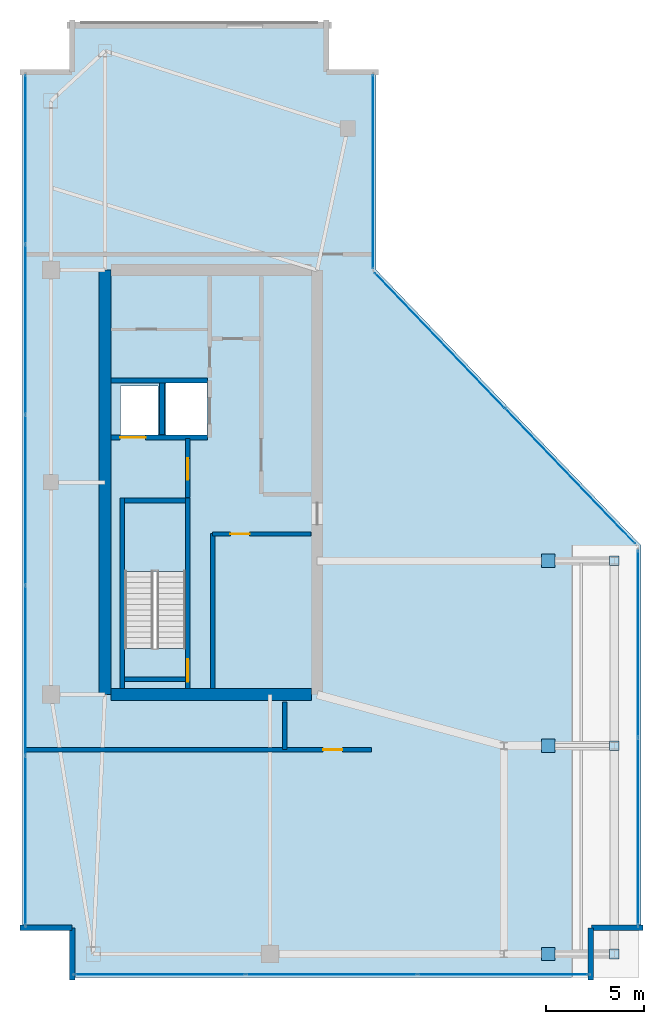
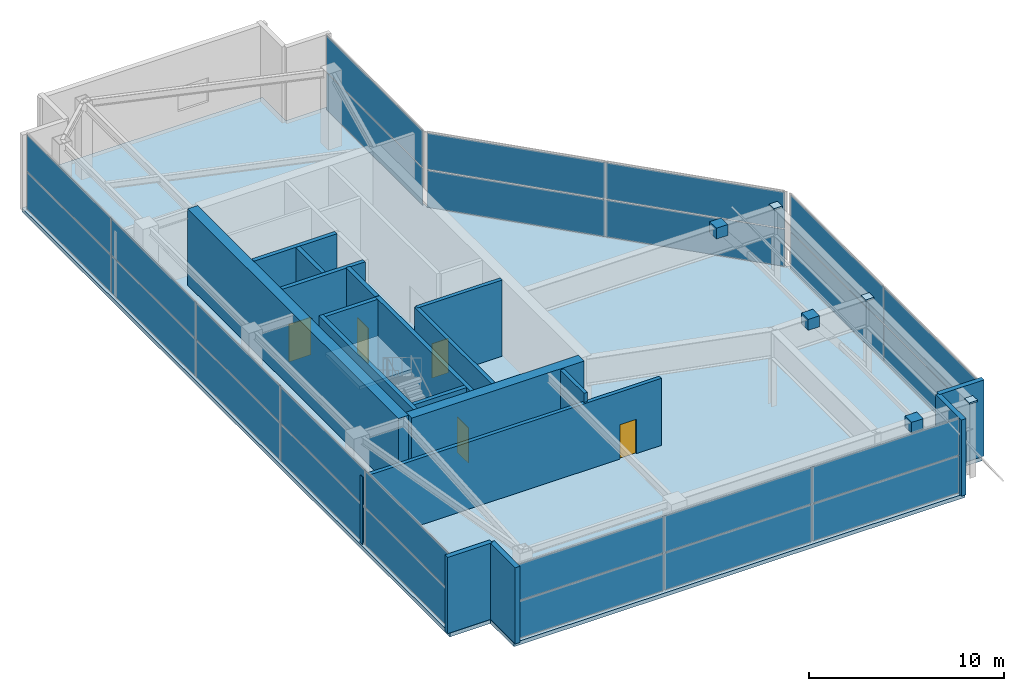
# One storey, part 19 of 22: 32 plates, 18 walls, 5 doors, 2 slabs, 5 openings, 6 elements without a shape of their own.
"""IFC4 building model written with IfcOpenShell, lengths in metres."""

from ifc_helpers import new_model, si_unit, direction, frame, frame_2d, origin, origin_2d, place, context, subcontext, project, spatial, polyline, rectangle, outline, extrude, material, layer, layer_set, type_object, element, fill, aggregate, save


model = new_model("IFC4")

# Units and contexts
model_context = context("Model", 3, precision=1e-05, world=origin(), true_north=direction((0.0, 1.0)))
body_context = subcontext(model_context, "Body", "Model", "MODEL_VIEW")
ifc_project = project(units=[si_unit("LENGTHUNIT", "METRE"), si_unit("AREAUNIT", "SQUARE_METRE"), si_unit("VOLUMEUNIT", "CUBIC_METRE"), si_unit("PLANEANGLEUNIT", "RADIAN"), si_unit("MASSUNIT", "GRAM", prefix="KILO")], contexts=[model_context])

# Site, building, storey
site_placement = place(None, origin())
site = spatial("IfcSite", under=ifc_project, at=site_placement, CompositionType="ELEMENT")
building_placement = place(site_placement, origin())
building = spatial("IfcBuilding", under=site, at=building_placement, Name="Calvorn Quay Hotel", CompositionType="ELEMENT")
storey_placement = place(building_placement, frame((0.0, 0.0, 325.5)))
storey = spatial("IfcBuildingStorey", under=building, at=storey_placement, Name="L80", CompositionType="ELEMENT", Elevation=325.5)

# Curtain wall, plates
ifc_material_1 = material(Name="Pale Anodised Aluminium and Laminated Glass", Category="aluminium")
ifc_layer_1 = layer(ifc_material_1, 0.219970703125)
ifc_layer_set_1 = layer_set([ifc_layer_1], Name="CW-SYS-CRN")
curtain_wall_type = type_object("IfcCurtainWallType", Name="CW-SYS-CRN", PredefinedType="NOTDEFINED", material=ifc_layer_set_1)
curtain_wall_1_placement = place(storey_placement, origin())
curtain_wall_1 = element("IfcCurtainWall", 1, at=curtain_wall_1_placement, inside=storey, type_object=curtain_wall_type, Name="Crown Curtain Wall L80-C1", PredefinedType="NOTDEFINED")
ifc_material_2 = material(Name="Low-E Laminated Double Glazing", Category="glass")
ifc_layer_2 = layer(ifc_material_2, 0.028076171875)
ifc_layer_set_2 = layer_set([ifc_layer_2], Name="CW-SYS-CRN-PAN")
plate_type_1 = type_object("IfcPlateType", Name="CW-SYS-CRN-PAN", PredefinedType="CURTAIN_PANEL", material=ifc_layer_set_2)
plate_1_placement = place(storey_placement, frame((7.006103515625, 2.550048828125, 0.06005859375), z_axis=(0.0, 0.0, 1.0), x_axis=(1.0, 0.0, 0.0)))
plate_1 = element("IfcPlate", 2, at=plate_1_placement, type_object=plate_type_1, Name="CW-L80-C1 panel 1.1", PredefinedType="CURTAIN_PANEL", context=body_context, shape_type="SweptSolid", body=[
    extrude(rectangle(XDim=8.65234375, YDim=0.028076171875, at=origin_2d()), origin(), (0.0, 0.0, 1.0), 2.31005859375),
])
plate_2_placement = place(storey_placement, frame((7.006103515625, 2.550048828125, 2.429931640625), z_axis=(0.0, 0.0, 1.0), x_axis=(1.0, 0.0, 0.0)))
plate_2 = element("IfcPlate", 3, at=plate_2_placement, type_object=plate_type_1, Name="CW-L80-C1 panel 1.2", PredefinedType="CURTAIN_PANEL", context=body_context, shape_type="SweptSolid", body=[
    extrude(rectangle(XDim=8.65234375, YDim=0.028076171875, at=origin_2d()), origin(), (0.0, 0.0, 1.0), 2.27001953125),
])
plate_3_placement = place(storey_placement, frame((15.7333984375, 2.550048828125, 0.06005859375), z_axis=(0.0, 0.0, 1.0), x_axis=(1.0, 0.0, 0.0)))
plate_3 = element("IfcPlate", 4, at=plate_3_placement, type_object=plate_type_1, Name="CW-L80-C1 panel 2.1", PredefinedType="CURTAIN_PANEL", context=body_context, shape_type="SweptSolid", body=[
    extrude(rectangle(XDim=8.682373046875, YDim=0.028076171875, at=origin_2d()), origin(), (0.0, 0.0, 1.0), 2.31005859375),
])
plate_4_placement = place(storey_placement, frame((15.7333984375, 2.550048828125, 2.429931640625), z_axis=(0.0, 0.0, 1.0), x_axis=(1.0, 0.0, 0.0)))
plate_4 = element("IfcPlate", 5, at=plate_4_placement, type_object=plate_type_1, Name="CW-L80-C1 panel 2.2", PredefinedType="CURTAIN_PANEL", context=body_context, shape_type="SweptSolid", body=[
    extrude(rectangle(XDim=8.682373046875, YDim=0.028076171875, at=origin_2d()), origin(), (0.0, 0.0, 1.0), 2.27001953125),
])
plate_5_placement = place(storey_placement, frame((24.4609375, 2.550048828125, 0.06005859375), z_axis=(0.0, 0.0, 1.0), x_axis=(1.0, 0.0, 0.0)))
plate_5 = element("IfcPlate", 6, at=plate_5_placement, type_object=plate_type_1, Name="CW-L80-C1 panel 3.1", PredefinedType="CURTAIN_PANEL", context=body_context, shape_type="SweptSolid", body=[
    extrude(rectangle(XDim=8.65234375, YDim=0.028076171875, at=origin_2d()), origin(), (0.0, 0.0, 1.0), 2.31005859375),
])
plate_6_placement = place(storey_placement, frame((24.4609375, 2.550048828125, 2.429931640625), z_axis=(0.0, 0.0, 1.0), x_axis=(1.0, 0.0, 0.0)))
plate_6 = element("IfcPlate", 7, at=plate_6_placement, type_object=plate_type_1, Name="CW-L80-C1 panel 3.2", PredefinedType="CURTAIN_PANEL", context=body_context, shape_type="SweptSolid", body=[
    extrude(rectangle(XDim=8.65234375, YDim=0.028076171875, at=origin_2d()), origin(), (0.0, 0.0, 1.0), 2.27001953125),
])
aggregate(curtain_wall_1, [plate_1, plate_2, plate_3, plate_4, plate_5, plate_6])

curtain_wall_2_placement = place(storey_placement, origin())
curtain_wall_2 = element("IfcCurtainWall", 8, at=curtain_wall_2_placement, inside=storey, type_object=curtain_wall_type, Name="Crown Curtain Wall L80-C2", PredefinedType="NOTDEFINED")
plate_7_placement = place(storey_placement, frame((31.31689453125, 9.824951171875, 0.06005859375), z_axis=(0.0, 0.0, 1.0), x_axis=(0.0, 1.0, 0.0)))
plate_7 = element("IfcPlate", 9, at=plate_7_placement, type_object=plate_type_1, Name="CW-L80-C2 panel 1.1", PredefinedType="CURTAIN_PANEL", context=body_context, shape_type="SweptSolid", body=[
    extrude(rectangle(XDim=9.489990234375, YDim=0.028076171875, at=origin_2d()), origin(), (0.0, 0.0, 1.0), 2.31005859375),
])
plate_8_placement = place(storey_placement, frame((31.31689453125, 9.824951171875, 2.429931640625), z_axis=(0.0, 0.0, 1.0), x_axis=(0.0, 1.0, 0.0)))
plate_8 = element("IfcPlate", 10, at=plate_8_placement, type_object=plate_type_1, Name="CW-L80-C2 panel 1.2", PredefinedType="CURTAIN_PANEL", context=body_context, shape_type="SweptSolid", body=[
    extrude(rectangle(XDim=9.489990234375, YDim=0.028076171875, at=origin_2d()), origin(), (0.0, 0.0, 1.0), 2.27001953125),
])
plate_9_placement = place(storey_placement, frame((31.31689453125, 19.375, 0.06005859375), z_axis=(0.0, 0.0, 1.0), x_axis=(0.0, 1.0, 0.0)))
plate_9 = element("IfcPlate", 11, at=plate_9_placement, type_object=plate_type_1, Name="CW-L80-C2 panel 2.1", PredefinedType="CURTAIN_PANEL", context=body_context, shape_type="SweptSolid", body=[
    extrude(rectangle(XDim=9.489990234375, YDim=0.028076171875, at=origin_2d()), origin(), (0.0, 0.0, 1.0), 2.31005859375),
])
plate_10_placement = place(storey_placement, frame((31.31689453125, 19.375, 2.429931640625), z_axis=(0.0, 0.0, 1.0), x_axis=(0.0, 1.0, 0.0)))
plate_10 = element("IfcPlate", 12, at=plate_10_placement, type_object=plate_type_1, Name="CW-L80-C2 panel 2.2", PredefinedType="CURTAIN_PANEL", context=body_context, shape_type="SweptSolid", body=[
    extrude(rectangle(XDim=9.489990234375, YDim=0.028076171875, at=origin_2d()), origin(), (0.0, 0.0, 1.0), 2.27001953125),
])
aggregate(curtain_wall_2, [plate_7, plate_8, plate_9, plate_10])

curtain_wall_3_placement = place(storey_placement, origin())
curtain_wall_3 = element("IfcCurtainWall", 13, at=curtain_wall_3_placement, inside=storey, type_object=curtain_wall_type, Name="Crown Curtain Wall L80-C3", PredefinedType="NOTDEFINED")
plate_11_placement = place(storey_placement, frame((27.87060546875, 27.922607421875, 0.06005859375), z_axis=(0.0, 0.0, 1.0), x_axis=(-0.69323891285, 0.720707853232, 0.0)))
plate_11 = element("IfcPlate", 14, at=plate_11_placement, type_object=plate_type_1, Name="CW-L80-C3 panel 1.1", PredefinedType="CURTAIN_PANEL", context=body_context, shape_type="SweptSolid", body=[
    extrude(rectangle(XDim=9.502685546875, YDim=0.028076171875, at=origin_2d()), origin(), (0.0, 0.0, 1.0), 2.31005859375),
])
plate_12_placement = place(storey_placement, frame((27.87060546875, 27.922607421875, 2.429931640625), z_axis=(0.0, 0.0, 1.0), x_axis=(-0.69323891285, 0.720707853232, 0.0)))
plate_12 = element("IfcPlate", 15, at=plate_12_placement, type_object=plate_type_1, Name="CW-L80-C3 panel 1.2", PredefinedType="CURTAIN_PANEL", context=body_context, shape_type="SweptSolid", body=[
    extrude(rectangle(XDim=9.502685546875, YDim=0.028076171875, at=origin_2d()), origin(), (0.0, 0.0, 1.0), 2.27001953125),
])
plate_13_placement = place(storey_placement, frame((21.241455078125, 34.814453125, 0.06005859375), z_axis=(0.0, 0.0, 1.0), x_axis=(-0.69323891285, 0.720707853232, 0.0)))
plate_13 = element("IfcPlate", 16, at=plate_13_placement, type_object=plate_type_1, Name="CW-L80-C3 panel 2.1", PredefinedType="CURTAIN_PANEL", context=body_context, shape_type="SweptSolid", body=[
    extrude(rectangle(XDim=9.502685546875, YDim=0.028076171875, at=origin_2d()), origin(), (0.0, 0.0, 1.0), 2.31005859375),
])
plate_14_placement = place(storey_placement, frame((21.241455078125, 34.814453125, 2.429931640625), z_axis=(0.0, 0.0, 1.0), x_axis=(-0.69323891285, 0.720707853232, 0.0)))
plate_14 = element("IfcPlate", 17, at=plate_14_placement, type_object=plate_type_1, Name="CW-L80-C3 panel 2.2", PredefinedType="CURTAIN_PANEL", context=body_context, shape_type="SweptSolid", body=[
    extrude(rectangle(XDim=9.502685546875, YDim=0.028076171875, at=origin_2d()), origin(), (0.0, 0.0, 1.0), 2.27001953125),
])
aggregate(curtain_wall_3, [plate_11, plate_12, plate_13, plate_14])

curtain_wall_4_placement = place(storey_placement, origin())
curtain_wall_4 = element("IfcCurtainWall", 18, at=curtain_wall_4_placement, inside=storey, type_object=curtain_wall_type, Name="Crown Curtain Wall L80-C4", PredefinedType="NOTDEFINED")
plate_15_placement = place(storey_placement, frame((17.85009765625, 43.39990234375, 0.06005859375), z_axis=(0.0, 0.0, 1.0), x_axis=(0.0, 1.0, 0.0)))
plate_15 = element("IfcPlate", 19, at=plate_15_placement, type_object=plate_type_1, Name="CW-L80-C4 panel 1.1", PredefinedType="CURTAIN_PANEL", context=body_context, shape_type="SweptSolid", body=[
    extrude(rectangle(XDim=9.840087890625, YDim=0.028076171875, at=origin_2d()), origin(), (0.0, 0.0, 1.0), 2.31005859375),
])
plate_16_placement = place(storey_placement, frame((17.85009765625, 43.39990234375, 2.429931640625), z_axis=(0.0, 0.0, 1.0), x_axis=(0.0, 1.0, 0.0)))
plate_16 = element("IfcPlate", 20, at=plate_16_placement, type_object=plate_type_1, Name="CW-L80-C4 panel 1.2", PredefinedType="CURTAIN_PANEL", context=body_context, shape_type="SweptSolid", body=[
    extrude(rectangle(XDim=9.840087890625, YDim=0.028076171875, at=origin_2d()), origin(), (0.0, 0.0, 1.0), 2.27001953125),
])
aggregate(curtain_wall_4, [plate_15, plate_16])

curtain_wall_5_placement = place(storey_placement, origin())
curtain_wall_5 = element("IfcCurtainWall", 21, at=curtain_wall_5_placement, inside=storey, type_object=curtain_wall_type, Name="Crown Curtain Wall L80-C5", PredefinedType="NOTDEFINED")
plate_17_placement = place(storey_placement, frame((0.14990234375, 44.029052734375, 0.06005859375), z_axis=(0.0, 0.0, 1.0), x_axis=(0.0, -1.0, 0.0)))
plate_17 = element("IfcPlate", 22, at=plate_17_placement, type_object=plate_type_1, Name="CW-L80-C5 panel 1.1", PredefinedType="CURTAIN_PANEL", context=body_context, shape_type="SweptSolid", body=[
    extrude(rectangle(XDim=8.58203125, YDim=0.028076171875, at=origin_2d()), origin(), (0.0, 0.0, 1.0), 2.31005859375),
])
plate_18_placement = place(storey_placement, frame((0.14990234375, 44.029052734375, 2.429931640625), z_axis=(0.0, 0.0, 1.0), x_axis=(0.0, -1.0, 0.0)))
plate_18 = element("IfcPlate", 23, at=plate_18_placement, type_object=plate_type_1, Name="CW-L80-C5 panel 1.2", PredefinedType="CURTAIN_PANEL", context=body_context, shape_type="SweptSolid", body=[
    extrude(rectangle(XDim=8.58203125, YDim=0.028076171875, at=origin_2d()), origin(), (0.0, 0.0, 1.0), 2.27001953125),
])
plate_19_placement = place(storey_placement, frame((0.14990234375, 35.3720703125, 0.06005859375), z_axis=(0.0, 0.0, 1.0), x_axis=(0.0, -1.0, 0.0)))
plate_19 = element("IfcPlate", 24, at=plate_19_placement, type_object=plate_type_1, Name="CW-L80-C5 panel 2.1", PredefinedType="CURTAIN_PANEL", context=body_context, shape_type="SweptSolid", body=[
    extrude(rectangle(XDim=8.612060546875, YDim=0.028076171875, at=origin_2d()), origin(), (0.0, 0.0, 1.0), 2.31005859375),
])
plate_20_placement = place(storey_placement, frame((0.14990234375, 35.3720703125, 2.429931640625), z_axis=(0.0, 0.0, 1.0), x_axis=(0.0, -1.0, 0.0)))
plate_20 = element("IfcPlate", 25, at=plate_20_placement, type_object=plate_type_1, Name="CW-L80-C5 panel 2.2", PredefinedType="CURTAIN_PANEL", context=body_context, shape_type="SweptSolid", body=[
    extrude(rectangle(XDim=8.612060546875, YDim=0.028076171875, at=origin_2d()), origin(), (0.0, 0.0, 1.0), 2.27001953125),
])
plate_21_placement = place(storey_placement, frame((0.14990234375, 26.699951171875, 0.06005859375), z_axis=(0.0, 0.0, 1.0), x_axis=(0.0, -1.0, 0.0)))
plate_21 = element("IfcPlate", 26, at=plate_21_placement, type_object=plate_type_1, Name="CW-L80-C5 panel 3.1", PredefinedType="CURTAIN_PANEL", context=body_context, shape_type="SweptSolid", body=[
    extrude(rectangle(XDim=8.612060546875, YDim=0.028076171875, at=origin_2d()), origin(), (0.0, 0.0, 1.0), 2.31005859375),
])
plate_22_placement = place(storey_placement, frame((0.14990234375, 26.699951171875, 2.429931640625), z_axis=(0.0, 0.0, 1.0), x_axis=(0.0, -1.0, 0.0)))
plate_22 = element("IfcPlate", 27, at=plate_22_placement, type_object=plate_type_1, Name="CW-L80-C5 panel 3.2", PredefinedType="CURTAIN_PANEL", context=body_context, shape_type="SweptSolid", body=[
    extrude(rectangle(XDim=8.612060546875, YDim=0.028076171875, at=origin_2d()), origin(), (0.0, 0.0, 1.0), 2.27001953125),
])
plate_23_placement = place(storey_placement, frame((0.14990234375, 18.028076171875, 0.06005859375), z_axis=(0.0, 0.0, 1.0), x_axis=(0.0, -1.0, 0.0)))
plate_23 = element("IfcPlate", 28, at=plate_23_placement, type_object=plate_type_1, Name="CW-L80-C5 panel 4.1", PredefinedType="CURTAIN_PANEL", context=body_context, shape_type="SweptSolid", body=[
    extrude(rectangle(XDim=8.612060546875, YDim=0.028076171875, at=origin_2d()), origin(), (0.0, 0.0, 1.0), 2.31005859375),
])
plate_24_placement = place(storey_placement, frame((0.14990234375, 18.028076171875, 2.429931640625), z_axis=(0.0, 0.0, 1.0), x_axis=(0.0, -1.0, 0.0)))
plate_24 = element("IfcPlate", 29, at=plate_24_placement, type_object=plate_type_1, Name="CW-L80-C5 panel 4.2", PredefinedType="CURTAIN_PANEL", context=body_context, shape_type="SweptSolid", body=[
    extrude(rectangle(XDim=8.612060546875, YDim=0.028076171875, at=origin_2d()), origin(), (0.0, 0.0, 1.0), 2.27001953125),
])
plate_25_placement = place(storey_placement, frame((0.14990234375, 9.37109375, 0.06005859375), z_axis=(0.0, 0.0, 1.0), x_axis=(0.0, -1.0, 0.0)))
plate_25 = element("IfcPlate", 30, at=plate_25_placement, type_object=plate_type_1, Name="CW-L80-C5 panel 5.1", PredefinedType="CURTAIN_PANEL", context=body_context, shape_type="SweptSolid", body=[
    extrude(rectangle(XDim=8.58203125, YDim=0.028076171875, at=origin_2d()), origin(), (0.0, 0.0, 1.0), 2.31005859375),
])
plate_26_placement = place(storey_placement, frame((0.14990234375, 9.37109375, 2.429931640625), z_axis=(0.0, 0.0, 1.0), x_axis=(0.0, -1.0, 0.0)))
plate_26 = element("IfcPlate", 31, at=plate_26_placement, type_object=plate_type_1, Name="CW-L80-C5 panel 5.2", PredefinedType="CURTAIN_PANEL", context=body_context, shape_type="SweptSolid", body=[
    extrude(rectangle(XDim=8.58203125, YDim=0.028076171875, at=origin_2d()), origin(), (0.0, 0.0, 1.0), 2.27001953125),
])
aggregate(curtain_wall_5, [plate_17, plate_18, plate_19, plate_20, plate_21, plate_22, plate_23, plate_24, plate_25, plate_26])

# Plates
ifc_material_3 = material(Name="Steel Q390GJC", Category="steel")
ifc_layer_3 = layer(ifc_material_3, 0.031982421875)
ifc_layer_set_3 = layer_set([ifc_layer_3], Name="PLT-SPLICE-32")
plate_type_2 = type_object("IfcPlateType", Name="PLT-SPLICE-32", PredefinedType="USERDEFINED", material=ifc_layer_set_3)
for number, where, z_axis, x_axis, name in (
    (32, (30.116943359375, 3.60009765625, 4.699951171875), (0.0, 0.0, 1.0), (1.0, 0.0, 0.0), "Column Top Cap Plate C-CR1 (L80)"),
    (33, (30.116943359375, 14.199951171875, 4.699951171875), (0.0, 0.0, 1.0), (1.0, 0.0, 0.0), "Column Top Cap Plate C-CR2 (L80)"),
    (34, (30.116943359375, 23.60009765625, 4.699951171875), (0.0, 0.0, 1.0), (1.0, 0.0, 0.0), "Column Top Cap Plate C-CR3 (L80)"),
):
    element("IfcPlate", number, at=place(storey_placement, frame(where, z_axis=z_axis, x_axis=x_axis)), inside=storey, type_object=plate_type_2, Name=name, ObjectType="SPLICE_PLATE", PredefinedType="USERDEFINED", context=body_context, shape_type="SweptSolid", body=[
        extrude(rectangle(XDim=0.489990234375, YDim=0.489990234375, at=origin_2d()), origin(), (0.0, 0.0, 1.0), 0.10009765625),
    ])
for number, where, z_axis, x_axis, name in (
    (35, (26.75, 3.60009765625, 4.169921875), (0.0, 0.0, 1.0), (1.0, 0.0, 0.0), "Raking Rafter End Cap Plate L80-1"),
    (36, (26.75, 14.199951171875, 4.169921875), (0.0, 0.0, 1.0), (1.0, 0.0, 0.0), "Raking Rafter End Cap Plate L80-2"),
    (37, (26.75, 23.60009765625, 4.169921875), (0.0, 0.0, 1.0), (1.0, 0.0, 0.0), "Raking Rafter End Cap Plate L80-3"),
):
    element("IfcPlate", number, at=place(storey_placement, frame(where, z_axis=z_axis, x_axis=x_axis)), inside=storey, type_object=plate_type_2, Name=name, ObjectType="SPLICE_PLATE", PredefinedType="USERDEFINED", context=body_context, shape_type="SweptSolid", body=[
        extrude(rectangle(XDim=0.679931640625, YDim=0.679931640625, at=origin_2d()), origin(), (0.0, 0.0, 1.0), 0.679931640625),
    ])

# Stair, slab
ifc_material_4 = material(Name="Concrete C40", Category="concrete")
stair_type = type_object("IfcStairType", Name="STR-CORE-DOGLEG", PredefinedType="HALF_TURN_STAIR", material=ifc_material_4)
stair_placement = place(storey_placement, origin())
stair = element("IfcStair", 38, at=stair_placement, inside=storey, type_object=stair_type, Name="L80 ST-W", PredefinedType="HALF_TURN_STAIR")
ifc_material_5 = material(Name="Concrete C40", Category="concrete")
ifc_layer_4 = layer(ifc_material_5, 0.199951171875)
ifc_layer_set_4 = layer_set([ifc_layer_4], Name="SLB-STAIR-LANDING-200")
slab_type_1 = type_object("IfcSlabType", Name="SLB-STAIR-LANDING-200", PredefinedType="LANDING", material=ifc_layer_set_4)
slab_1_placement = place(storey_placement, frame((0.0, 0.0, 2.300048828125)))
slab_1 = element("IfcSlab", 39, at=slab_1_placement, type_object=slab_type_1, Name="ST-W landing 1", PredefinedType="LANDING", context=body_context, shape_type="SweptSolid", body=[
    extrude(outline(polyline([(8.300048828125, 23.070068359375), (8.300048828125, 26.550048828125), (5.199951171875, 26.550048828125), (5.199951171875, 23.070068359375), (8.300048828125, 23.070068359375)])), origin(), (0.0, 0.0, 1.0), 0.199951171875),
])
aggregate(stair, [slab_1])

# Slab
ifc_material_6 = material(Name="Concrete C40", Category="concrete")
ifc_layer_5 = layer(ifc_material_6, 0.239990234375)
ifc_layer_set_5 = layer_set([ifc_layer_5], Name="SLB-TOWER-240")
slab_type_2 = type_object("IfcSlabType", Name="SLB-TOWER-240", PredefinedType="FLOOR", material=ifc_layer_set_5)
slab_2_placement = place(storey_placement, frame((0.0, 0.0, -0.239990234375)))
element("IfcSlab", 40, at=slab_2_placement, inside=storey, type_object=slab_type_2, Name="L80 Structural Floor Slab", PredefinedType="FLOOR", context=body_context, shape_type="SweptSolid", body=[
    extrude(outline(polyline([(0.0, 4.800048828125), (2.39990234375, 4.800048828125), (2.39990234375, 2.39990234375), (29.06689453125, 2.39990234375), (29.06689453125, 4.800048828125), (31.467041015625, 4.800048828125), (31.467041015625, 24.39990234375), (18.0, 38.39990234375), (18.0, 48.60009765625), (15.60009765625, 48.60009765625), (15.60009765625, 51.0), (2.39990234375, 51.0), (2.39990234375, 48.60009765625), (0.0, 48.60009765625), (0.0, 4.800048828125)]), holes=[polyline([(5.199951171875, 19.156005859375), (8.300048828125, 19.156005859375), (8.300048828125, 26.550048828125), (5.199951171875, 26.550048828125), (5.199951171875, 19.156005859375)]), polyline([(5.0, 30.0), (6.89990234375, 30.0), (6.89990234375, 32.5), (5.0, 32.5), (5.0, 30.0)]), polyline([(7.300048828125, 30.0), (9.39990234375, 30.0), (9.39990234375, 32.64990234375), (7.300048828125, 32.64990234375), (7.300048828125, 30.0)])]), origin(), (0.0, 0.0, 1.0), 0.239990234375),
])

# Walls
ifc_material_7 = material(Name="Concrete C45", Category="concrete")
ifc_layer_6 = layer(ifc_material_7, 0.60009765625)
ifc_layer_set_6 = layer_set([ifc_layer_6], Name="WL-CORE-600")
wall_type_1 = type_object("IfcWallType", Name="WL-CORE-600", PredefinedType="SHEAR", material=ifc_layer_set_6)
wall_1_placement = place(storey_placement, frame((4.199951171875, 16.800048828125, 0.0), z_axis=(0.0, 0.0, 1.0), x_axis=(0.0, 1.0, 0.0)))
element("IfcWall", 41, at=wall_1_placement, inside=storey, type_object=wall_type_1, Name="West Core Shear Wall W (L80)", PredefinedType="SHEAR", context=body_context, shape_type="SweptSolid", body=[
    extrude(rectangle(XDim=21.599853515625, YDim=0.60009765625, at=frame_2d((10.7998046875, 0.0))), origin(), (0.0, 0.0, 1.0), 4.760009765625),
])
wall_2_placement = place(storey_placement, frame((4.5, 16.800048828125, 0.0), z_axis=(0.0, 0.0, 1.0), x_axis=(1.0, 0.0, 0.0)))
element("IfcWall", 42, at=wall_2_placement, inside=storey, type_object=wall_type_1, Name="West Core Shear Wall S (L80)", PredefinedType="SHEAR", context=body_context, shape_type="SweptSolid", body=[
    extrude(rectangle(XDim=10.199951171875, YDim=0.60009765625, at=frame_2d((5.10009765625, 0.0))), origin(), (0.0, 0.0, 1.0), 4.760009765625),
])
ifc_material_8 = material(Name="Concrete C40", Category="concrete")
ifc_layer_7 = layer(ifc_material_8, 0.320068359375)
ifc_layer_set_7 = layer_set([ifc_layer_7], Name="WL-EXT-SPANDREL-320")
wall_type_2 = type_object("IfcWallType", Name="WL-EXT-SPANDREL-320", PredefinedType="SOLIDWALL", material=ifc_layer_set_7)
wall_3_placement = place(storey_placement, frame((-0.1201171875, 4.949951171875, 0.0), z_axis=(0.0, 0.0, 1.0), x_axis=(1.0, 0.0, 0.0)))
element("IfcWall", 43, at=wall_3_placement, inside=storey, type_object=wall_type_2, Name="Crown Notched Corner Spandrel L80-C1", PredefinedType="SOLIDWALL", context=body_context, shape_type="SweptSolid", body=[
    extrude(rectangle(XDim=2.64013671875, YDim=0.280029296875, at=frame_2d((1.320068359375, 0.0))), origin(), (0.0, 0.0, 1.0), 4.760009765625),
])
for number, where, z_axis, x_axis, name in (
    (44, (2.550048828125, 4.919921875, 0.0), (0.0, 0.0, 1.0), (0.0, -1.0, 0.0), "Crown Notched Corner Spandrel L80-C2"),
    (45, (28.9169921875, 2.280029296875, 0.0), (0.0, 0.0, 1.0), (0.0, 1.0, 0.0), "Crown Notched Corner Spandrel L80-C3"),
    (46, (28.947021484375, 4.949951171875, 0.0), (0.0, 0.0, 1.0), (1.0, 0.0, 0.0), "Crown Notched Corner Spandrel L80-C4"),
):
    element("IfcWall", number, at=place(storey_placement, frame(where, z_axis=z_axis, x_axis=x_axis)), inside=storey, type_object=wall_type_2, Name=name, PredefinedType="SOLIDWALL", context=body_context, shape_type="SweptSolid", body=[
        extrude(rectangle(XDim=2.639892578125, YDim=0.280029296875, at=frame_2d((1.31982421875, 0.0))), origin(), (0.0, 0.0, 1.0), 4.760009765625),
    ])
ifc_material_9 = material(Name="Autoclaved Aerated Masonry Block", Category="masonry")
ifc_layer_8 = layer(ifc_material_9, 0.219970703125)
ifc_layer_set_8 = layer_set([ifc_layer_8], Name="WL-LOBBY-FIRE-220")
wall_type_3 = type_object("IfcWallType", Name="WL-LOBBY-FIRE-220", PredefinedType="SOLIDWALL", material=ifc_layer_set_8)
wall_4_placement = place(storey_placement, frame((9.679931640625, 17.1201171875, 0.0), z_axis=(0.0, 0.0, 1.0), x_axis=(0.0, 1.0, 0.0)))
element("IfcWall", 47, at=wall_4_placement, inside=storey, type_object=wall_type_3, Name="Partition Wall L80-WL-CWW-STW-HALL-E", PredefinedType="SOLIDWALL", context=body_context, shape_type="SweptSolid", body=[
    extrude(rectangle(XDim=7.8798828125, YDim=0.219970703125, at=frame_2d((3.93994140625, 0.0))), origin(), (0.0, 0.0, 1.0), 4.760009765625),
])

# Wall, opening, door
wall_5_placement = place(storey_placement, frame((9.679931640625, 24.969970703125, 0.0), z_axis=(0.0, 0.0, 1.0), x_axis=(1.0, 0.0, 0.0)))
wall_5 = element("IfcWall", 48, at=wall_5_placement, inside=storey, type_object=wall_type_3, Name="Partition Wall L80-WL-CWW-CRN-N", PredefinedType="SOLIDWALL", context=body_context, shape_type="SweptSolid", body=[
    extrude(rectangle(XDim=5.0, YDim=0.219970703125, at=frame_2d((2.5, 0.0))), origin(), (0.0, 0.0, 1.0), 4.760009765625),
])
opening_1_placement = place(wall_5_placement, frame((0.89990234375, 0.0, 0.0)))
opening_1 = element("IfcOpeningElement", 49, at=opening_1_placement, cuts=wall_5, Name="Opening D-L80-CCR", PredefinedType="OPENING", context=body_context, shape_type="SweptSolid", body=[
    extrude(rectangle(XDim=0.97998046875, YDim=2.14990234375, at=frame_2d((0.489990234375, 1.074951171875))), frame((0.0, 0.119873046875, 0.0), z_axis=(0.0, -1.0, 0.0), x_axis=(1.0, 0.0, 0.0)), (0.0, 0.0, 1.0), 0.239990234375),
])
ifc_material_10 = material(Name="Painted Steel Housekeeping/Riser Fire Door", Category="steel")
door_type_1 = type_object("IfcDoorType", Name="DR-SERVICE-980", OperationType="NOTDEFINED", PredefinedType="DOOR", material=ifc_material_10)
door_1_placement = place(opening_1_placement, origin())
door_1 = element("IfcDoor", 50, at=door_1_placement, inside=storey, type_object=door_type_1, Name="Crown Core Fan Door (L80)", OperationType="SINGLE_SWING_LEFT", OverallHeight=2.14990234375, OverallWidth=0.97998046875, PredefinedType="DOOR", context=body_context, shape_type="SweptSolid", body=[
    extrude(rectangle(XDim=0.97998046875, YDim=2.14990234375, at=frame_2d((0.489990234375, 1.074951171875))), frame((0.0, 0.02490234375, 0.0), z_axis=(0.0, -1.0, 0.0), x_axis=(1.0, 0.0, 0.0)), (0.0, 0.0, 1.0), 0.050048828125),
])
fill(opening_1, door_1)

# Wall
wall_6_placement = place(storey_placement, frame((13.35009765625, 14.0, 0.0), z_axis=(0.0, 0.0, 1.0), x_axis=(0.0, 1.0, 0.0)))
element("IfcWall", 51, at=wall_6_placement, inside=storey, type_object=wall_type_3, Name="Partition Wall L80-WL-CR-SV-W", PredefinedType="SOLIDWALL", context=body_context, shape_type="SweptSolid", body=[
    extrude(rectangle(XDim=2.419921875, YDim=0.219970703125, at=frame_2d((1.2099609375, 0.0))), origin(), (0.0, 0.0, 1.0), 4.760009765625),
])

# Wall, opening, door
wall_7_placement = place(storey_placement, frame((0.080078125, 14.0, 0.0), z_axis=(0.0, 0.0, 1.0), x_axis=(1.0, 0.0, 0.0)))
wall_7 = element("IfcWall", 52, at=wall_7_placement, inside=storey, type_object=wall_type_3, Name="Partition Wall L80-WL-CR-S", PredefinedType="SOLIDWALL", context=body_context, shape_type="SweptSolid", body=[
    extrude(rectangle(XDim=17.669921875, YDim=0.219970703125, at=frame_2d((8.8349609375, 0.0))), origin(), (0.0, 0.0, 1.0), 4.18994140625),
])
opening_2_placement = place(wall_7_placement, frame((15.219970703125, 0.0, 0.0)))
opening_2 = element("IfcOpeningElement", 53, at=opening_2_placement, cuts=wall_7, Name="Opening D-L80-C1", PredefinedType="OPENING", context=body_context, shape_type="SweptSolid", body=[
    extrude(rectangle(XDim=0.97998046875, YDim=2.14990234375, at=frame_2d((0.489990234375, 1.074951171875))), frame((0.0, 0.119873046875, 0.0), z_axis=(0.0, -1.0, 0.0), x_axis=(1.0, 0.0, 0.0)), (0.0, 0.0, 1.0), 0.239990234375),
])
door_2_placement = place(opening_2_placement, origin())
door_2 = element("IfcDoor", 54, at=door_2_placement, inside=storey, type_object=door_type_1, Name="Crown Exhaust Plant Door", OperationType="SINGLE_SWING_LEFT", OverallHeight=2.14990234375, OverallWidth=0.97998046875, PredefinedType="DOOR", context=body_context, shape_type="SweptSolid", body=[
    extrude(rectangle(XDim=0.97998046875, YDim=2.14990234375, at=frame_2d((0.489990234375, 1.074951171875))), frame((0.0, 0.02490234375, 0.0), z_axis=(0.0, -1.0, 0.0), x_axis=(1.0, 0.0, 0.0)), (0.0, 0.0, 1.0), 0.050048828125),
])
fill(opening_2, door_2)

# Wall
ifc_material_11 = material(Name="Concrete C40", Category="concrete")
ifc_layer_9 = layer(ifc_material_11, 0.239990234375)
ifc_layer_set_9 = layer_set([ifc_layer_9], Name="WL-SHAFT-240")
wall_type_4 = type_object("IfcWallType", Name="WL-SHAFT-240", PredefinedType="SOLIDWALL", material=ifc_layer_set_9)
wall_8_placement = place(storey_placement, frame((5.080078125, 17.10009765625, 0.0), z_axis=(0.0, 0.0, 1.0), x_axis=(0.0, 1.0, 0.0)))
element("IfcWall", 55, at=wall_8_placement, inside=storey, type_object=wall_type_4, Name="Stair STW Shaft Wall W (L80)", PredefinedType="SOLIDWALL", context=body_context, shape_type="SweptSolid", body=[
    extrude(rectangle(XDim=9.68994140625, YDim=0.239990234375, at=frame_2d((4.844970703125, 0.0))), origin(), (0.0, 0.0, 1.0), 4.760009765625),
])

# Wall, opening, door
wall_9_placement = place(storey_placement, frame((8.419921875, 17.10009765625, 0.0), z_axis=(0.0, 0.0, 1.0), x_axis=(0.0, 1.0, 0.0)))
wall_9 = element("IfcWall", 56, at=wall_9_placement, inside=storey, type_object=wall_type_4, Name="Stair STW Shaft Wall E (L80)", PredefinedType="SOLIDWALL", context=body_context, shape_type="SweptSolid", body=[
    extrude(rectangle(XDim=9.68994140625, YDim=0.239990234375, at=frame_2d((4.844970703125, 0.0))), origin(), (0.0, 0.0, 1.0), 4.760009765625),
])
opening_3_placement = place(wall_9_placement, frame((0.35009765625, 0.0, 0.0)))
opening_3 = element("IfcOpeningElement", 57, at=opening_3_placement, cuts=wall_9, Name="Opening D-L80-STW", PredefinedType="OPENING", context=body_context, shape_type="SweptSolid", body=[
    extrude(rectangle(XDim=1.14990234375, YDim=2.199951171875, at=frame_2d((0.574951171875, 1.10009765625))), frame((0.0, 0.1298828125, 0.0), z_axis=(0.0, -1.0, 0.0), x_axis=(1.0, 0.0, 0.0)), (0.0, 0.0, 1.0), 0.260009765625),
])
ifc_material_12 = material(Name="Galvanised Steel Class A Fire Door", Category="steel")
door_type_2 = type_object("IfcDoorType", Name="DR-STAIR-SMOKE-1150", OperationType="NOTDEFINED", PredefinedType="DOOR", material=ifc_material_12)
door_3_placement = place(opening_3_placement, origin())
door_3 = element("IfcDoor", 58, at=door_3_placement, inside=storey, type_object=door_type_2, Name="Stair ST-W Fire Door (L80)", OperationType="SINGLE_SWING_LEFT", OverallHeight=2.199951171875, OverallWidth=1.14990234375, PredefinedType="DOOR", context=body_context, shape_type="SweptSolid", body=[
    extrude(rectangle(XDim=1.14990234375, YDim=2.199951171875, at=frame_2d((0.574951171875, 1.10009765625))), frame((0.0, 0.02490234375, 0.0), z_axis=(0.0, -1.0, 0.0), x_axis=(1.0, 0.0, 0.0)), (0.0, 0.0, 1.0), 0.050048828125),
])
fill(opening_3, door_3)

# Walls
for number, where, z_axis, x_axis, name in (
    (59, (5.199951171875, 17.580078125, 0.0), (0.0, 0.0, 1.0), (1.0, 0.0, 0.0), "Stair STW Shaft Wall S (L80)"),
    (60, (5.199951171875, 26.669921875, 0.0), (0.0, 0.0, 1.0), (1.0, 0.0, 0.0), "Stair STW Shaft Wall N (L80)"),
):
    element("IfcWall", number, at=place(storey_placement, frame(where, z_axis=z_axis, x_axis=x_axis)), inside=storey, type_object=wall_type_4, Name=name, PredefinedType="SOLIDWALL", context=body_context, shape_type="SweptSolid", body=[
        extrude(rectangle(XDim=3.10009765625, YDim=0.239990234375, at=frame_2d((1.550048828125, 0.0))), origin(), (0.0, 0.0, 1.0), 4.760009765625),
    ])

# Wall, opening, door
wall_10_placement = place(storey_placement, frame((8.419921875, 26.820068359375, 0.0), z_axis=(0.0, 0.0, 1.0), x_axis=(0.0, 1.0, 0.0)))
wall_10 = element("IfcWall", 61, at=wall_10_placement, inside=storey, type_object=wall_type_4, Name="Partition Wall L80-WL-CWW-FFL-E", PredefinedType="SOLIDWALL", context=body_context, shape_type="SweptSolid", body=[
    extrude(rectangle(XDim=3.0, YDim=0.239990234375, at=frame_2d((1.5, 0.0))), origin(), (0.0, 0.0, 1.0), 4.760009765625),
])
opening_4_placement = place(wall_10_placement, frame((0.89990234375, 0.0, 0.0)))
opening_4 = element("IfcOpeningElement", 62, at=opening_4_placement, cuts=wall_10, Name="Opening D-L80-FLW", PredefinedType="OPENING", context=body_context, shape_type="SweptSolid", body=[
    extrude(rectangle(XDim=1.10009765625, YDim=2.199951171875, at=frame_2d((0.550048828125, 1.10009765625))), frame((0.0, 0.1298828125, 0.0), z_axis=(0.0, -1.0, 0.0), x_axis=(1.0, 0.0, 0.0)), (0.0, 0.0, 1.0), 0.260009765625),
])
ifc_material_13 = material(Name="Smoke-Sealed Steel Class A Fire Door", Category="steel")
door_type_3 = type_object("IfcDoorType", Name="DR-FFLOBBY-1100", OperationType="NOTDEFINED", PredefinedType="DOOR", material=ifc_material_13)
door_4_placement = place(opening_4_placement, origin())
door_4 = element("IfcDoor", 63, at=door_4_placement, inside=storey, type_object=door_type_3, Name="West Firefighting Lobby Fire Door (L80)", OperationType="SINGLE_SWING_RIGHT", OverallHeight=2.199951171875, OverallWidth=1.10009765625, PredefinedType="DOOR", context=body_context, shape_type="SweptSolid", body=[
    extrude(rectangle(XDim=1.10009765625, YDim=2.199951171875, at=frame_2d((0.550048828125, 1.10009765625))), frame((0.0, 0.02490234375, 0.0), z_axis=(0.0, -1.0, 0.0), x_axis=(1.0, 0.0, 0.0)), (0.0, 0.0, 1.0), 0.050048828125),
])
fill(opening_4, door_4)

wall_11_placement = place(storey_placement, frame((4.52001953125, 29.8798828125, 0.0), z_axis=(0.0, 0.0, 1.0), x_axis=(1.0, 0.0, 0.0)))
wall_11 = element("IfcWall", 64, at=wall_11_placement, inside=storey, type_object=wall_type_4, Name="Partition Wall L80-WL-CWW-FLW-S", PredefinedType="SOLIDWALL", context=body_context, shape_type="SweptSolid", body=[
    extrude(rectangle(XDim=4.89990234375, YDim=0.239990234375, at=frame_2d((2.449951171875, 0.0))), origin(), (0.0, 0.0, 1.0), 4.760009765625),
])
opening_5_placement = place(wall_11_placement, frame((0.449951171875, 0.0, 0.0)))
opening_5 = element("IfcOpeningElement", 65, at=opening_5_placement, cuts=wall_11, Name="Opening LD-L80-FLW1", PredefinedType="OPENING", context=body_context, shape_type="SweptSolid", body=[
    extrude(rectangle(XDim=1.300048828125, YDim=2.35009765625, at=frame_2d((0.64990234375, 1.175048828125))), frame((0.0, 0.1298828125, 0.0), z_axis=(0.0, -1.0, 0.0), x_axis=(1.0, 0.0, 0.0)), (0.0, 0.0, 1.0), 0.260009765625),
])
ifc_material_14 = material(Name="Champagne-Bronze Sliding Express Lift Landing Door")
door_type_4 = type_object("IfcDoorType", Name="DR-LIFT-SHUTTLE-1300", OperationType="NOTDEFINED", PredefinedType="DOOR", material=ifc_material_14)
door_5_placement = place(opening_5_placement, origin())
door_5 = element("IfcDoor", 66, at=door_5_placement, inside=storey, type_object=door_type_4, Name="Firefighting Lift FL-W1 Landing Door (L80)", OperationType="DOUBLE_DOOR_SLIDING", OverallHeight=2.35009765625, OverallWidth=1.300048828125, PredefinedType="DOOR", context=body_context, shape_type="SweptSolid", body=[
    extrude(rectangle(XDim=1.300048828125, YDim=2.35009765625, at=frame_2d((0.64990234375, 1.175048828125))), frame((0.0, 0.02490234375, 0.0), z_axis=(0.0, -1.0, 0.0), x_axis=(1.0, 0.0, 0.0)), (0.0, 0.0, 1.0), 0.050048828125),
])
fill(opening_5, door_5)

# Walls
wall_12_placement = place(storey_placement, frame((7.10009765625, 30.02001953125, 0.0), z_axis=(0.0, 0.0, 1.0), x_axis=(0.0, 1.0, 0.0)))
element("IfcWall", 67, at=wall_12_placement, inside=storey, type_object=wall_type_4, Name="Partition Wall L80-WL-CWW-FLW-DIV", PredefinedType="SOLIDWALL", context=body_context, shape_type="SweptSolid", body=[
    extrude(rectangle(XDim=2.6298828125, YDim=0.239990234375, at=frame_2d((1.31494140625, 0.0))), origin(), (0.0, 0.0, 1.0), 4.760009765625),
])
wall_13_placement = place(storey_placement, frame((4.52001953125, 32.780029296875, 0.0), z_axis=(0.0, 0.0, 1.0), x_axis=(1.0, 0.0, 0.0)))
element("IfcWall", 68, at=wall_13_placement, inside=storey, type_object=wall_type_4, Name="Partition Wall L80-WL-CWW-SLW-N", PredefinedType="SOLIDWALL", context=body_context, shape_type="SweptSolid", body=[
    extrude(rectangle(XDim=4.89990234375, YDim=0.239990234375, at=frame_2d((2.449951171875, 0.0))), origin(), (0.0, 0.0, 1.0), 4.760009765625),
])

save(model, "model.ifc")
